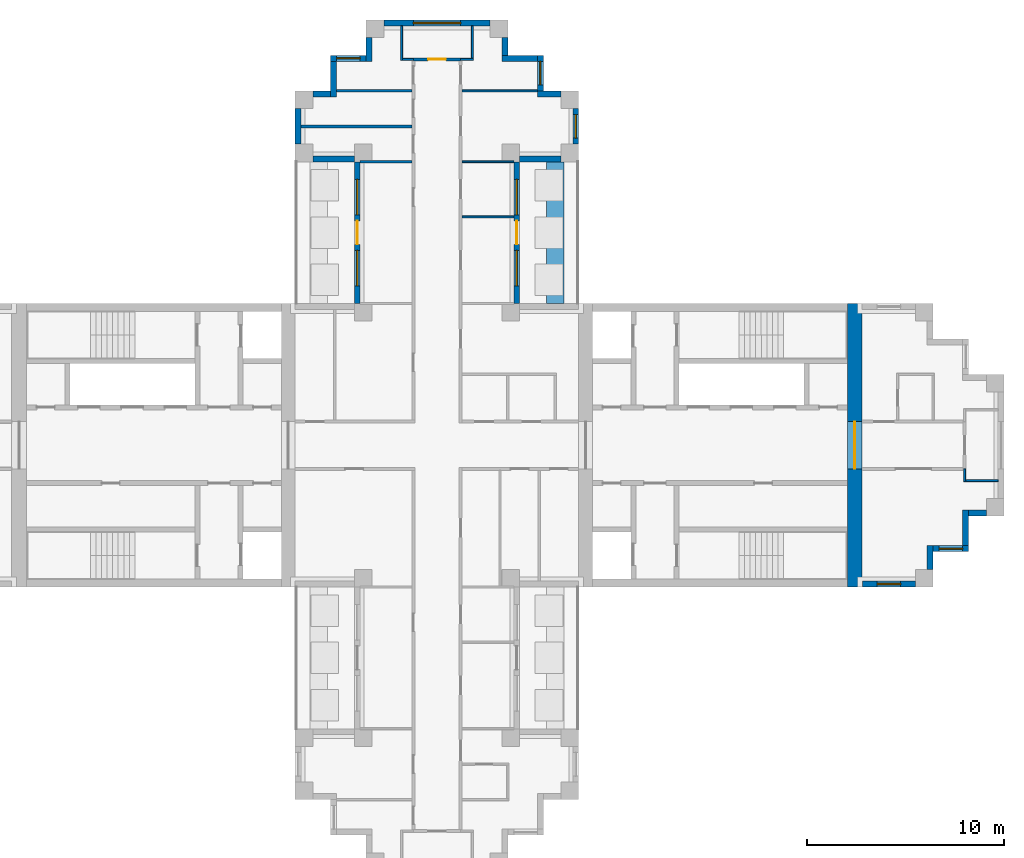
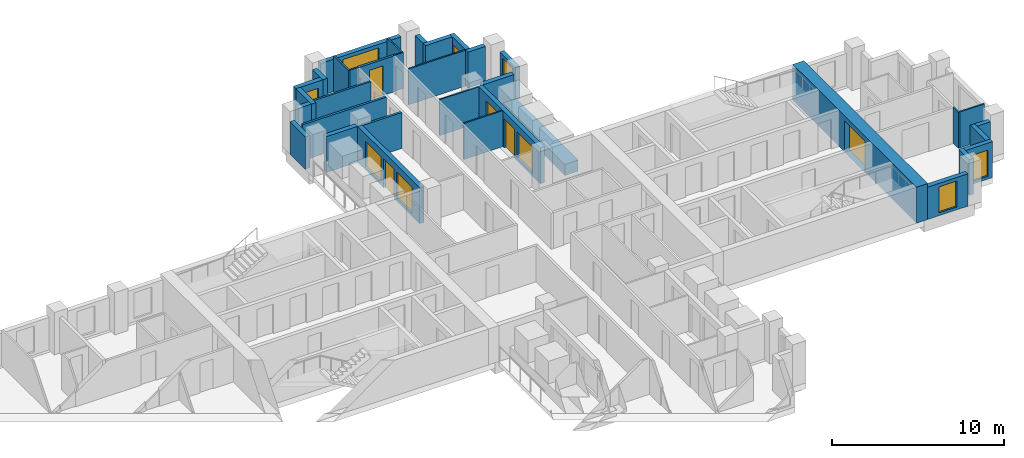
# One storey, part 7 of 10: 35 walls, 10 windows, 4 doors, 14 openings.
"""IFC4 building model written with IfcOpenShell, lengths in metres."""

from ifc_helpers import new_model, si_unit, direction, frame, frame_2d, origin, place, context, subcontext, project, spatial, rectangle, extrude, material, layer, layer_set, type_object, element, fill, save


model = new_model("IFC4")

# Units and contexts
model_context = context("Model", 3, precision=1e-05, world=origin(), true_north=direction((0.0, 1.0)))
body_context = subcontext(model_context, "Body", "Model", "MODEL_VIEW")
ifc_project = project(units=[si_unit("LENGTHUNIT", "METRE"), si_unit("AREAUNIT", "SQUARE_METRE"), si_unit("VOLUMEUNIT", "CUBIC_METRE"), si_unit("PLANEANGLEUNIT", "RADIAN"), si_unit("MASSUNIT", "GRAM", prefix="KILO")], contexts=[model_context])

# Site, building, storey
site_placement = place(None, origin())
site = spatial("IfcSite", under=ifc_project, at=site_placement, CompositionType="ELEMENT")
building_placement = place(site_placement, origin())
building = spatial("IfcBuilding", under=site, at=building_placement, Name="Fustian Cross Tower", CompositionType="ELEMENT")
storey_placement = place(building_placement, frame((0.0, 0.0, 191.699951171875)))
storey = spatial("IfcBuildingStorey", under=building, at=storey_placement, Name="L60", CompositionType="ELEMENT", Elevation=191.699951171875)

# Walls
ifc_material_1 = material(Name="Plasterboard on steel stud", Category="steel")
ifc_layer_1 = layer(ifc_material_1, 0.14990234375)
ifc_layer_set_1 = layer_set([ifc_layer_1], Name="Plasterboard on steel stud")
wall_type_1 = type_object("IfcWallType", Name="COMPARTMENT WALL 150 EI 60", PredefinedType="PARTITIONING", material=ifc_layer_set_1)
wall_1_placement = place(storey_placement, frame((-6.89990234375, 16.199951171875, 0.0), z_axis=(0.0, 0.0, 1.0), x_axis=(1.0, 0.0, 0.0)))
element("IfcWall", 1, at=wall_1_placement, inside=storey, type_object=wall_type_1, Name="Partition 15", PredefinedType="PARTITIONING", context=body_context, shape_type="SweptSolid", body=[
    extrude(rectangle(XDim=5.625, YDim=0.14990234375, at=frame_2d((2.8125, 0.0))), origin(), (0.0, 0.0, 1.0), 2.550048828125),
])
wall_2_placement = place(storey_placement, frame((-3.89990234375, 14.39990234375, 0.0), z_axis=(0.0, 0.0, 1.0), x_axis=(1.0, 0.0, 0.0)))
element("IfcWall", 2, at=wall_2_placement, inside=storey, type_object=wall_type_1, Name="Partition 22", PredefinedType="PARTITIONING", context=body_context, shape_type="SweptSolid", body=[
    extrude(rectangle(XDim=2.625, YDim=0.14990234375, at=frame_2d((1.3125, 0.0))), origin(), (0.0, 0.0, 1.0), 2.550048828125),
])

# Wall, opening, door
wall_3_placement = place(storey_placement, frame((-1.199951171875, 19.60009765625, 0.0), z_axis=(0.0, 0.0, 1.0), x_axis=(1.0, 0.0, 0.0)))
wall_3 = element("IfcWall", 3, at=wall_3_placement, inside=storey, type_object=wall_type_1, Name="Partition 30", PredefinedType="PARTITIONING", context=body_context, shape_type="SweptSolid", body=[
    extrude(rectangle(XDim=2.39990234375, YDim=0.14990234375, at=frame_2d((1.199951171875, 0.0))), origin(), (0.0, 0.0, 1.0), 2.550048828125),
])
opening_1_placement = place(wall_3_placement, frame((0.75, 0.0, 0.0)))
opening_1 = element("IfcOpeningElement", 4, at=opening_1_placement, cuts=wall_3, Name="Opening D27014", PredefinedType="OPENING", context=body_context, shape_type="SweptSolid", body=[
    extrude(rectangle(XDim=0.89990234375, YDim=2.10009765625, at=frame_2d((0.449951171875, 1.050048828125))), frame((0.0, 0.0849609375, 0.0), z_axis=(0.0, -1.0, 0.0), x_axis=(1.0, 0.0, 0.0)), (0.0, 0.0, 1.0), 0.169921875),
])
ifc_material_2 = material(Name="Timber fire door set", Category="wood")
door_type_1 = type_object("IfcDoorType", Name="FIRE SWING DOOR 900 FD30S", OperationType="SINGLE_SWING_LEFT", PredefinedType="DOOR", material=ifc_material_2)
door_1_placement = place(opening_1_placement, origin())
door_1 = element("IfcDoor", 5, at=door_1_placement, inside=storey, type_object=door_type_1, Name="Door D27014", OperationType="SINGLE_SWING_LEFT", OverallHeight=2.10009765625, OverallWidth=0.89990234375, PredefinedType="DOOR", context=body_context, shape_type="SweptSolid", body=[
    extrude(rectangle(XDim=0.89990234375, YDim=2.10009765625, at=frame_2d((0.449951171875, 1.050048828125))), frame((0.0, 0.02490234375, 0.0), z_axis=(0.0, -1.0, 0.0), x_axis=(1.0, 0.0, 0.0)), (0.0, 0.0, 1.0), 0.050048828125),
])
fill(opening_1, door_1)

ifc_material_3 = material(Name="Concrete C50/60", Category="concrete")
ifc_layer_2 = layer(ifc_material_3, 0.75)
ifc_layer_set_2 = layer_set([ifc_layer_2], Name="Concrete C50/60")
wall_type_2 = type_object("IfcWallType", Name="CORE END WALL 750 C50/60", PredefinedType="SHEAR", material=ifc_layer_set_2)
wall_4_placement = place(storey_placement, frame((21.22509765625, -7.199951171875, 0.0), z_axis=(0.0, 0.0, 1.0), x_axis=(0.0, 1.0, 0.0)))
wall_4 = element("IfcWall", 6, at=wall_4_placement, inside=storey, type_object=wall_type_2, Name="Core end wall", PredefinedType="SHEAR", context=body_context, shape_type="SweptSolid", body=[
    extrude(rectangle(XDim=14.39990234375, YDim=0.75, at=frame_2d((7.199951171875, 0.0))), origin(), (0.0, 0.0, 1.0), 2.550048828125),
])
opening_2_placement = place(wall_4_placement, frame((6.0, 0.0, 0.0)))
opening_2 = element("IfcOpeningElement", 7, at=opening_2_placement, cuts=wall_4, Name="Opening CD-25-13", PredefinedType="OPENING", context=body_context, shape_type="SweptSolid", body=[
    extrude(rectangle(XDim=2.39990234375, YDim=2.199951171875, at=frame_2d((1.199951171875, 1.10009765625))), frame((0.0, 0.385009765625, 0.0), z_axis=(0.0, -1.0, 0.0), x_axis=(1.0, 0.0, 0.0)), (0.0, 0.0, 1.0), 0.77001953125),
])
ifc_material_4 = material(Name="Steel", Category="steel")
door_type_2 = type_object("IfcDoorType", Name="FIRE DOOR FD30S DOUBLE 2400X2200", OperationType="DOUBLE_DOOR_DOUBLE_SWING", PredefinedType="DOOR", material=ifc_material_4)
door_2_placement = place(opening_2_placement, origin())
door_2 = element("IfcDoor", 8, at=door_2_placement, inside=storey, type_object=door_type_2, Name="Core door CD-25-13", OperationType="DOUBLE_DOOR_DOUBLE_SWING", OverallHeight=2.199951171875, OverallWidth=2.39990234375, PredefinedType="DOOR", context=body_context, shape_type="SweptSolid", body=[
    extrude(rectangle(XDim=2.39990234375, YDim=2.199951171875, at=frame_2d((1.199951171875, 1.10009765625))), frame((0.0, 0.02490234375, 0.0), z_axis=(0.0, -1.0, 0.0), x_axis=(1.0, 0.0, 0.0)), (0.0, 0.0, 1.0), 0.050048828125),
])
fill(opening_2, door_2)

# Walls
ifc_material_5 = material(Name="Plasterboard on steel stud", Category="steel")
ifc_layer_3 = layer(ifc_material_5, 0.10009765625)
ifc_layer_set_3 = layer_set([ifc_layer_3], Name="Plasterboard on steel stud")
wall_type_3 = type_object("IfcWallType", Name="PARTITION 100 STUD", PredefinedType="PARTITIONING", material=ifc_layer_set_3)
wall_5_placement = place(storey_placement, frame((-1.800048828125, 19.550048828125, 0.0), z_axis=(0.0, 0.0, 1.0), x_axis=(0.0, 1.0, 0.0)))
element("IfcWall", 9, at=wall_5_placement, inside=storey, type_object=wall_type_3, Name="Partition 25", PredefinedType="PARTITIONING", context=body_context, shape_type="SweptSolid", body=[
    extrude(rectangle(XDim=1.75, YDim=0.10009765625, at=frame_2d((0.875, 0.0))), origin(), (0.0, 0.0, 1.0), 2.550048828125),
])
wall_6_placement = place(storey_placement, frame((-1.75, 19.60009765625, 0.0), z_axis=(0.0, 0.0, 1.0), x_axis=(1.0, 0.0, 0.0)))
element("IfcWall", 10, at=wall_6_placement, inside=storey, type_object=wall_type_3, Name="Partition 26", PredefinedType="PARTITIONING", context=body_context, shape_type="SweptSolid", body=[
    extrude(rectangle(XDim=0.550048828125, YDim=0.10009765625, at=frame_2d((0.27490234375, 0.0))), origin(), (0.0, 0.0, 1.0), 2.550048828125),
])
for number, where, z_axis, x_axis, name in (
    (11, (1.27490234375, 11.60009765625, 0.0), (0.0, 0.0, 1.0), (1.0, 0.0, 0.0), "Partition 43"),
    (12, (1.27490234375, 14.39990234375, 0.0), (0.0, 0.0, 1.0), (1.0, 0.0, 0.0), "Partition 44"),
):
    element("IfcWall", number, at=place(storey_placement, frame(where, z_axis=z_axis, x_axis=x_axis)), inside=storey, type_object=wall_type_3, Name=name, PredefinedType="PARTITIONING", context=body_context, shape_type="SweptSolid", body=[
        extrude(rectangle(XDim=2.625, YDim=0.10009765625, at=frame_2d((1.3125, 0.0))), origin(), (0.0, 0.0, 1.0), 2.550048828125),
    ])
wall_7_placement = place(storey_placement, frame((1.27490234375, 18.0, 0.0), z_axis=(0.0, 0.0, 1.0), x_axis=(1.0, 0.0, 0.0)))
element("IfcWall", 13, at=wall_7_placement, inside=storey, type_object=wall_type_3, Name="Partition 45", PredefinedType="PARTITIONING", context=body_context, shape_type="SweptSolid", body=[
    extrude(rectangle(XDim=3.8251953125, YDim=0.10009765625, at=frame_2d((1.91259765625, 0.0))), origin(), (0.0, 0.0, 1.0), 2.550048828125),
])
wall_8_placement = place(storey_placement, frame((1.199951171875, 19.60009765625, 0.0), z_axis=(0.0, 0.0, 1.0), x_axis=(1.0, 0.0, 0.0)))
element("IfcWall", 14, at=wall_8_placement, inside=storey, type_object=wall_type_3, Name="Partition 46", PredefinedType="PARTITIONING", context=body_context, shape_type="SweptSolid", body=[
    extrude(rectangle(XDim=0.650146484375, YDim=0.10009765625, at=frame_2d((0.3251953125, 0.0))), origin(), (0.0, 0.0, 1.0), 2.550048828125),
])
wall_9_placement = place(storey_placement, frame((1.800048828125, 19.64990234375, 0.0), z_axis=(0.0, 0.0, 1.0), x_axis=(0.0, 1.0, 0.0)))
element("IfcWall", 15, at=wall_9_placement, inside=storey, type_object=wall_type_3, Name="Partition 48", PredefinedType="PARTITIONING", context=body_context, shape_type="SweptSolid", body=[
    extrude(rectangle(XDim=1.650146484375, YDim=0.10009765625, at=frame_2d((0.8251953125, 0.0))), origin(), (0.0, 0.0, 1.0), 2.550048828125),
])
wall_10_placement = place(storey_placement, frame((26.800048828125, -1.85009765625, 0.0), z_axis=(0.0, 0.0, 1.0), x_axis=(0.0, 1.0, 0.0)))
element("IfcWall", 16, at=wall_10_placement, inside=storey, type_object=wall_type_3, Name="Partition 59", PredefinedType="PARTITIONING", context=body_context, shape_type="SweptSolid", body=[
    extrude(rectangle(XDim=0.650146484375, YDim=0.10009765625, at=frame_2d((0.3251953125, 0.0))), origin(), (0.0, 0.0, 1.0), 2.550048828125),
])
wall_11_placement = place(storey_placement, frame((26.85009765625, -1.800048828125, 0.0), z_axis=(0.0, 0.0, 1.0), x_axis=(1.0, 0.0, 0.0)))
element("IfcWall", 17, at=wall_11_placement, inside=storey, type_object=wall_type_3, Name="Partition 60", PredefinedType="PARTITIONING", context=body_context, shape_type="SweptSolid", body=[
    extrude(rectangle(XDim=1.64990234375, YDim=0.10009765625, at=frame_2d((0.824951171875, 0.0))), origin(), (0.0, 0.0, 1.0), 2.550048828125),
])
ifc_material_6 = material(Name="Concrete C40/50", Category="concrete")
ifc_layer_4 = layer(ifc_material_6, 0.89990234375)
ifc_layer_set_4 = layer_set([ifc_layer_4], Name="Concrete C40/50")
wall_type_4 = type_object("IfcWallType", Name="PK1 PLANTER 900", PredefinedType="PARAPET", material=ifc_layer_set_4)
wall_12_placement = place(storey_placement, frame((6.0, 7.199951171875, 0.0), z_axis=(0.0, 0.0, 1.0), x_axis=(0.0, 1.0, 0.0)))
element("IfcWall", 18, at=wall_12_placement, inside=storey, type_object=wall_type_4, Name="PLANTER", PredefinedType="PARAPET", context=body_context, shape_type="SweptSolid", body=[
    extrude(rectangle(XDim=7.199951171875, YDim=0.89990234375, at=frame_2d((3.60009765625, 0.0))), origin(), (0.0, 0.0, 1.0), 0.800048828125),
])
ifc_material_7 = material(Name="Plasterboard on steel stud", Category="steel")
ifc_layer_5 = layer(ifc_material_7, 0.125)
ifc_layer_set_5 = layer_set([ifc_layer_5], Name="Plasterboard on steel stud")
wall_type_5 = type_object("IfcWallType", Name="WET WALL 125 STUD", PredefinedType="PARTITIONING", material=ifc_layer_set_5)
wall_13_placement = place(storey_placement, frame((-5.10009765625, 18.0, 0.0), z_axis=(0.0, 0.0, 1.0), x_axis=(1.0, 0.0, 0.0)))
element("IfcWall", 19, at=wall_13_placement, inside=storey, type_object=wall_type_5, Name="Partition 18", PredefinedType="PARTITIONING", context=body_context, shape_type="SweptSolid", body=[
    extrude(rectangle(XDim=3.8251953125, YDim=0.125, at=frame_2d((1.91259765625, 0.0))), origin(), (0.0, 0.0, 1.0), 2.550048828125),
])

# Wall, opening, window
ifc_material_8 = material(Name="Dark aluminium cladding on insulated backing wall", Category="aluminium")
ifc_layer_6 = layer(ifc_material_8, 0.300048828125)
ifc_layer_set_6 = layer_set([ifc_layer_6], Name="Dark aluminium cladding on insulated backing wall")
wall_type_6 = type_object("IfcWallType", Name="XW1 EXTERNAL WALL 300", PredefinedType="SOLIDWALL", material=ifc_layer_set_6)
wall_14_placement = place(storey_placement, frame((21.60009765625, -7.050048828125, 0.0), z_axis=(0.0, 0.0, 1.0), x_axis=(1.0, 0.0, 0.0)))
wall_14 = element("IfcWall", 20, at=wall_14_placement, inside=storey, type_object=wall_type_6, Name="External wall", PredefinedType="SOLIDWALL", context=body_context, shape_type="SweptSolid", body=[
    extrude(rectangle(XDim=2.699951171875, YDim=0.300048828125, at=frame_2d((1.35009765625, 0.0))), origin(), (0.0, 0.0, 1.0), 2.300048828125),
])
opening_3_placement = place(wall_14_placement, frame((0.75, 0.0, 0.199951171875)))
opening_3 = element("IfcOpeningElement", 21, at=opening_3_placement, cuts=wall_14, Name="Opening WN3", PredefinedType="OPENING", context=body_context, shape_type="SweptSolid", body=[
    extrude(rectangle(XDim=1.199951171875, YDim=1.85009765625, at=frame_2d((0.60009765625, 0.925048828125))), frame((0.0, 0.159912109375, 0.0), z_axis=(0.0, -1.0, 0.0), x_axis=(1.0, 0.0, 0.0)), (0.0, 0.0, 1.0), 0.320068359375),
])
ifc_material_9 = material(Name="Dark anodised aluminium and double glazing", Category="aluminium")
window_type_1 = type_object("IfcWindowType", Name="WN3 WINDOW 1200X1850", PartitioningType="SINGLE_PANEL", PredefinedType="WINDOW", material=ifc_material_9)
window_1_placement = place(opening_3_placement, origin())
window_1 = element("IfcWindow", 22, at=window_1_placement, inside=storey, type_object=window_type_1, Name="Window", OverallHeight=1.85009765625, OverallWidth=1.199951171875, PartitioningType="SINGLE_PANEL", PredefinedType="WINDOW", context=body_context, shape_type="SweptSolid", body=[
    extrude(rectangle(XDim=1.199951171875, YDim=1.85009765625, at=frame_2d((0.60009765625, 0.925048828125))), frame((0.0, 0.030029296875, 0.0), z_axis=(0.0, -1.0, 0.0), x_axis=(1.0, 0.0, 0.0)), (0.0, 0.0, 1.0), 0.06005859375),
])
fill(opening_3, window_1)

# Wall
wall_15_placement = place(storey_placement, frame((25.050048828125, -6.300048828125, 0.0), z_axis=(0.0, 0.0, 1.0), x_axis=(0.0, 1.0, 0.0)))
element("IfcWall", 23, at=wall_15_placement, inside=storey, type_object=wall_type_6, Name="External wall", PredefinedType="SOLIDWALL", context=body_context, shape_type="SweptSolid", body=[
    extrude(rectangle(XDim=1.199951171875, YDim=0.300048828125, at=frame_2d((0.60009765625, 0.0))), origin(), (0.0, 0.0, 1.0), 2.550048828125),
])

# Wall, opening, window
wall_16_placement = place(storey_placement, frame((25.199951171875, -5.25, 0.0), z_axis=(0.0, 0.0, 1.0), x_axis=(1.0, 0.0, 0.0)))
wall_16 = element("IfcWall", 24, at=wall_16_placement, inside=storey, type_object=wall_type_6, Name="External wall", PredefinedType="SOLIDWALL", context=body_context, shape_type="SweptSolid", body=[
    extrude(rectangle(XDim=1.800048828125, YDim=0.300048828125, at=frame_2d((0.89990234375, 0.0))), origin(), (0.0, 0.0, 1.0), 2.550048828125),
])
opening_4_placement = place(wall_16_placement, frame((0.300048828125, 0.0, 0.199951171875)))
opening_4 = element("IfcOpeningElement", 25, at=opening_4_placement, cuts=wall_16, Name="Opening WN3", PredefinedType="OPENING", context=body_context, shape_type="SweptSolid", body=[
    extrude(rectangle(XDim=1.199951171875, YDim=1.85009765625, at=frame_2d((0.60009765625, 0.925048828125))), frame((0.0, 0.159912109375, 0.0), z_axis=(0.0, -1.0, 0.0), x_axis=(1.0, 0.0, 0.0)), (0.0, 0.0, 1.0), 0.320068359375),
])
window_2_placement = place(opening_4_placement, origin())
window_2 = element("IfcWindow", 26, at=window_2_placement, inside=storey, type_object=window_type_1, Name="Window", OverallHeight=1.85009765625, OverallWidth=1.199951171875, PartitioningType="SINGLE_PANEL", PredefinedType="WINDOW", context=body_context, shape_type="SweptSolid", body=[
    extrude(rectangle(XDim=1.199951171875, YDim=1.85009765625, at=frame_2d((0.60009765625, 0.925048828125))), frame((0.0, 0.030029296875, 0.0), z_axis=(0.0, -1.0, 0.0), x_axis=(1.0, 0.0, 0.0)), (0.0, 0.0, 1.0), 0.06005859375),
])
fill(opening_4, window_2)

# Walls
wall_17_placement = place(storey_placement, frame((26.85009765625, -5.10009765625, 0.0), z_axis=(0.0, 0.0, 1.0), x_axis=(0.0, 1.0, 0.0)))
element("IfcWall", 27, at=wall_17_placement, inside=storey, type_object=wall_type_6, Name="External wall", PredefinedType="SOLIDWALL", context=body_context, shape_type="SweptSolid", body=[
    extrude(rectangle(XDim=1.800048828125, YDim=0.300048828125, at=frame_2d((0.89990234375, 0.0))), origin(), (0.0, 0.0, 1.0), 2.550048828125),
])
wall_18_placement = place(storey_placement, frame((27.0, -3.449951171875, 0.0), z_axis=(0.0, 0.0, 1.0), x_axis=(1.0, 0.0, 0.0)))
element("IfcWall", 28, at=wall_18_placement, inside=storey, type_object=wall_type_6, Name="External wall", PredefinedType="SOLIDWALL", context=body_context, shape_type="SweptSolid", body=[
    extrude(rectangle(XDim=0.89990234375, YDim=0.300048828125, at=frame_2d((0.449951171875, 0.0))), origin(), (0.0, 0.0, 1.0), 2.550048828125),
])

# Wall, openings, door, windows
wall_19_placement = place(storey_placement, frame((4.050048828125, 7.199951171875, 0.0), z_axis=(0.0, 0.0, 1.0), x_axis=(0.0, 1.0, 0.0)))
wall_19 = element("IfcWall", 29, at=wall_19_placement, inside=storey, type_object=wall_type_6, Name="External wall", PredefinedType="SOLIDWALL", context=body_context, shape_type="SweptSolid", body=[
    extrude(rectangle(XDim=7.199951171875, YDim=0.300048828125, at=frame_2d((3.60009765625, 0.0))), origin(), (0.0, 0.0, 1.0), 2.550048828125),
])
opening_5_placement = place(wall_19_placement, frame((3.0, 0.0, 0.0)))
opening_5 = element("IfcOpeningElement", 30, at=opening_5_placement, cuts=wall_19, Name="Opening XD1", PredefinedType="OPENING", context=body_context, shape_type="SweptSolid", body=[
    extrude(rectangle(XDim=1.199951171875, YDim=2.050048828125, at=frame_2d((0.60009765625, 1.02490234375))), frame((0.0, 0.159912109375, 0.0), z_axis=(0.0, -1.0, 0.0), x_axis=(1.0, 0.0, 0.0)), (0.0, 0.0, 1.0), 0.320068359375),
])
opening_6_placement = place(wall_19_placement, frame((0.89990234375, 0.0, 0.199951171875)))
opening_6 = element("IfcOpeningElement", 31, at=opening_6_placement, cuts=wall_19, Name="Opening WN2", PredefinedType="OPENING", context=body_context, shape_type="SweptSolid", body=[
    extrude(rectangle(XDim=1.800048828125, YDim=1.85009765625, at=frame_2d((0.89990234375, 0.925048828125))), frame((0.0, 0.159912109375, 0.0), z_axis=(0.0, -1.0, 0.0), x_axis=(1.0, 0.0, 0.0)), (0.0, 0.0, 1.0), 0.320068359375),
])
opening_7_placement = place(wall_19_placement, frame((4.5, 0.0, 0.199951171875)))
opening_7 = element("IfcOpeningElement", 32, at=opening_7_placement, cuts=wall_19, Name="Opening WN2", PredefinedType="OPENING", context=body_context, shape_type="SweptSolid", body=[
    extrude(rectangle(XDim=1.800048828125, YDim=1.85009765625, at=frame_2d((0.89990234375, 0.925048828125))), frame((0.0, 0.159912109375, 0.0), z_axis=(0.0, -1.0, 0.0), x_axis=(1.0, 0.0, 0.0)), (0.0, 0.0, 1.0), 0.320068359375),
])
ifc_material_10 = material(Name="Dark anodised aluminium and double glazing", Category="aluminium")
door_type_3 = type_object("IfcDoorType", Name="ED1 BALCONY DOOR 1200X2050", OperationType="SINGLE_SWING_LEFT", PredefinedType="DOOR", material=ifc_material_10)
door_3_placement = place(opening_5_placement, origin())
door_3 = element("IfcDoor", 33, at=door_3_placement, inside=storey, type_object=door_type_3, Name="Balcony door", OperationType="SINGLE_SWING_LEFT", OverallHeight=2.050048828125, OverallWidth=1.199951171875, PredefinedType="DOOR", context=body_context, shape_type="SweptSolid", body=[
    extrude(rectangle(XDim=1.199951171875, YDim=2.050048828125, at=frame_2d((0.60009765625, 1.02490234375))), frame((0.0, 0.02490234375, 0.0), z_axis=(0.0, -1.0, 0.0), x_axis=(1.0, 0.0, 0.0)), (0.0, 0.0, 1.0), 0.050048828125),
])
fill(opening_5, door_3)
ifc_material_11 = material(Name="Dark anodised aluminium and double glazing", Category="aluminium")
window_type_2 = type_object("IfcWindowType", Name="WN2 WINDOW 1800X1850", PartitioningType="SINGLE_PANEL", PredefinedType="WINDOW", material=ifc_material_11)
window_3_placement = place(opening_6_placement, origin())
window_3 = element("IfcWindow", 34, at=window_3_placement, inside=storey, type_object=window_type_2, Name="Window", OverallHeight=1.85009765625, OverallWidth=1.800048828125, PartitioningType="SINGLE_PANEL", PredefinedType="WINDOW", context=body_context, shape_type="SweptSolid", body=[
    extrude(rectangle(XDim=1.800048828125, YDim=1.85009765625, at=frame_2d((0.89990234375, 0.925048828125))), frame((0.0, 0.030029296875, 0.0), z_axis=(0.0, -1.0, 0.0), x_axis=(1.0, 0.0, 0.0)), (0.0, 0.0, 1.0), 0.06005859375),
])
fill(opening_6, window_3)
window_4_placement = place(opening_7_placement, origin())
window_4 = element("IfcWindow", 35, at=window_4_placement, inside=storey, type_object=window_type_2, Name="Window", OverallHeight=1.85009765625, OverallWidth=1.800048828125, PartitioningType="SINGLE_PANEL", PredefinedType="WINDOW", context=body_context, shape_type="SweptSolid", body=[
    extrude(rectangle(XDim=1.800048828125, YDim=1.85009765625, at=frame_2d((0.89990234375, 0.925048828125))), frame((0.0, 0.030029296875, 0.0), z_axis=(0.0, -1.0, 0.0), x_axis=(1.0, 0.0, 0.0)), (0.0, 0.0, 1.0), 0.06005859375),
])
fill(opening_7, window_4)

# Wall
wall_20_placement = place(storey_placement, frame((4.199951171875, 14.550048828125, 0.0), z_axis=(0.0, 0.0, 1.0), x_axis=(1.0, 0.0, 0.0)))
element("IfcWall", 36, at=wall_20_placement, inside=storey, type_object=wall_type_6, Name="External wall", PredefinedType="SOLIDWALL", context=body_context, shape_type="SweptSolid", body=[
    extrude(rectangle(XDim=2.10009765625, YDim=0.300048828125, at=frame_2d((1.050048828125, 0.0))), origin(), (0.0, 0.0, 1.0), 2.550048828125),
])

# Wall, opening, window
wall_21_placement = place(storey_placement, frame((7.050048828125, 15.300048828125, 0.0), z_axis=(0.0, 0.0, 1.0), x_axis=(0.0, 1.0, 0.0)))
wall_21 = element("IfcWall", 37, at=wall_21_placement, inside=storey, type_object=wall_type_6, Name="External wall", PredefinedType="SOLIDWALL", context=body_context, shape_type="SweptSolid", body=[
    extrude(rectangle(XDim=1.800048828125, YDim=0.300048828125, at=frame_2d((0.89990234375, 0.0))), origin(), (0.0, 0.0, 1.0), 2.300048828125),
])
opening_8_placement = place(wall_21_placement, frame((0.300048828125, 0.0, 0.199951171875)))
opening_8 = element("IfcOpeningElement", 38, at=opening_8_placement, cuts=wall_21, Name="Opening WN3", PredefinedType="OPENING", context=body_context, shape_type="SweptSolid", body=[
    extrude(rectangle(XDim=1.199951171875, YDim=1.85009765625, at=frame_2d((0.60009765625, 0.925048828125))), frame((0.0, 0.159912109375, 0.0), z_axis=(0.0, -1.0, 0.0), x_axis=(1.0, 0.0, 0.0)), (0.0, 0.0, 1.0), 0.320068359375),
])
window_5_placement = place(opening_8_placement, origin())
window_5 = element("IfcWindow", 39, at=window_5_placement, inside=storey, type_object=window_type_1, Name="Window", OverallHeight=1.85009765625, OverallWidth=1.199951171875, PartitioningType="SINGLE_PANEL", PredefinedType="WINDOW", context=body_context, shape_type="SweptSolid", body=[
    extrude(rectangle(XDim=1.199951171875, YDim=1.85009765625, at=frame_2d((0.60009765625, 0.925048828125))), frame((0.0, 0.030029296875, 0.0), z_axis=(0.0, -1.0, 0.0), x_axis=(1.0, 0.0, 0.0)), (0.0, 0.0, 1.0), 0.06005859375),
])
fill(opening_8, window_5)

# Wall
wall_22_placement = place(storey_placement, frame((6.300048828125, 17.85009765625, 0.0), z_axis=(0.0, 0.0, 1.0), x_axis=(-1.0, 0.0, 0.0)))
element("IfcWall", 40, at=wall_22_placement, inside=storey, type_object=wall_type_6, Name="External wall", PredefinedType="SOLIDWALL", context=body_context, shape_type="SweptSolid", body=[
    extrude(rectangle(XDim=1.199951171875, YDim=0.300048828125, at=frame_2d((0.60009765625, 0.0))), origin(), (0.0, 0.0, 1.0), 2.550048828125),
])

# Wall, opening, window
wall_23_placement = place(storey_placement, frame((5.25, 18.0, 0.0), z_axis=(0.0, 0.0, 1.0), x_axis=(0.0, 1.0, 0.0)))
wall_23 = element("IfcWall", 41, at=wall_23_placement, inside=storey, type_object=wall_type_6, Name="External wall", PredefinedType="SOLIDWALL", context=body_context, shape_type="SweptSolid", body=[
    extrude(rectangle(XDim=1.800048828125, YDim=0.300048828125, at=frame_2d((0.89990234375, 0.0))), origin(), (0.0, 0.0, 1.0), 2.550048828125),
])
opening_9_placement = place(wall_23_placement, frame((0.300048828125, 0.0, 0.199951171875)))
opening_9 = element("IfcOpeningElement", 42, at=opening_9_placement, cuts=wall_23, Name="Opening WN3", PredefinedType="OPENING", context=body_context, shape_type="SweptSolid", body=[
    extrude(rectangle(XDim=1.199951171875, YDim=1.85009765625, at=frame_2d((0.60009765625, 0.925048828125))), frame((0.0, 0.159912109375, 0.0), z_axis=(0.0, -1.0, 0.0), x_axis=(1.0, 0.0, 0.0)), (0.0, 0.0, 1.0), 0.320068359375),
])
window_6_placement = place(opening_9_placement, origin())
window_6 = element("IfcWindow", 43, at=window_6_placement, inside=storey, type_object=window_type_1, Name="Window", OverallHeight=1.85009765625, OverallWidth=1.199951171875, PartitioningType="SINGLE_PANEL", PredefinedType="WINDOW", context=body_context, shape_type="SweptSolid", body=[
    extrude(rectangle(XDim=1.199951171875, YDim=1.85009765625, at=frame_2d((0.60009765625, 0.925048828125))), frame((0.0, 0.030029296875, 0.0), z_axis=(0.0, -1.0, 0.0), x_axis=(1.0, 0.0, 0.0)), (0.0, 0.0, 1.0), 0.06005859375),
])
fill(opening_9, window_6)

# Walls
wall_24_placement = place(storey_placement, frame((5.10009765625, 19.64990234375, 0.0), z_axis=(0.0, 0.0, 1.0), x_axis=(-1.0, 0.0, 0.0)))
element("IfcWall", 44, at=wall_24_placement, inside=storey, type_object=wall_type_6, Name="External wall", PredefinedType="SOLIDWALL", context=body_context, shape_type="SweptSolid", body=[
    extrude(rectangle(XDim=1.800048828125, YDim=0.300048828125, at=frame_2d((0.89990234375, 0.0))), origin(), (0.0, 0.0, 1.0), 2.550048828125),
])
wall_25_placement = place(storey_placement, frame((3.449951171875, 19.800048828125, 0.0), z_axis=(0.0, 0.0, 1.0), x_axis=(0.0, 1.0, 0.0)))
element("IfcWall", 45, at=wall_25_placement, inside=storey, type_object=wall_type_6, Name="External wall", PredefinedType="SOLIDWALL", context=body_context, shape_type="SweptSolid", body=[
    extrude(rectangle(XDim=0.89990234375, YDim=0.300048828125, at=frame_2d((0.449951171875, 0.0))), origin(), (0.0, 0.0, 1.0), 2.550048828125),
])

# Wall, opening, window
wall_26_placement = place(storey_placement, frame((2.699951171875, 21.449951171875, 0.0), z_axis=(0.0, 0.0, 1.0), x_axis=(-1.0, 0.0, 0.0)))
wall_26 = element("IfcWall", 46, at=wall_26_placement, inside=storey, type_object=wall_type_6, Name="External wall", PredefinedType="SOLIDWALL", context=body_context, shape_type="SweptSolid", body=[
    extrude(rectangle(XDim=5.39990234375, YDim=0.300048828125, at=frame_2d((2.699951171875, 0.0))), origin(), (0.0, 0.0, 1.0), 2.300048828125),
])
opening_10_placement = place(wall_26_placement, frame((1.5, 0.0, 0.199951171875)))
opening_10 = element("IfcOpeningElement", 47, at=opening_10_placement, cuts=wall_26, Name="Opening WN1", PredefinedType="OPENING", context=body_context, shape_type="SweptSolid", body=[
    extrude(rectangle(XDim=2.39990234375, YDim=1.85009765625, at=frame_2d((1.199951171875, 0.925048828125))), frame((0.0, 0.159912109375, 0.0), z_axis=(0.0, -1.0, 0.0), x_axis=(1.0, 0.0, 0.0)), (0.0, 0.0, 1.0), 0.320068359375),
])
ifc_material_12 = material(Name="Dark anodised aluminium and double glazing", Category="aluminium")
window_type_3 = type_object("IfcWindowType", Name="WN1 WINDOW 2400X1850", PartitioningType="SINGLE_PANEL", PredefinedType="WINDOW", material=ifc_material_12)
window_7_placement = place(opening_10_placement, origin())
window_7 = element("IfcWindow", 48, at=window_7_placement, inside=storey, type_object=window_type_3, Name="Window", OverallHeight=1.85009765625, OverallWidth=2.39990234375, PartitioningType="SINGLE_PANEL", PredefinedType="WINDOW", context=body_context, shape_type="SweptSolid", body=[
    extrude(rectangle(XDim=2.39990234375, YDim=1.85009765625, at=frame_2d((1.199951171875, 0.925048828125))), frame((0.0, 0.030029296875, 0.0), z_axis=(0.0, -1.0, 0.0), x_axis=(1.0, 0.0, 0.0)), (0.0, 0.0, 1.0), 0.06005859375),
])
fill(opening_10, window_7)

# Wall
wall_27_placement = place(storey_placement, frame((-3.449951171875, 20.699951171875, 0.0), z_axis=(0.0, 0.0, 1.0), x_axis=(0.0, -1.0, 0.0)))
element("IfcWall", 49, at=wall_27_placement, inside=storey, type_object=wall_type_6, Name="External wall", PredefinedType="SOLIDWALL", context=body_context, shape_type="SweptSolid", body=[
    extrude(rectangle(XDim=1.199951171875, YDim=0.300048828125, at=frame_2d((0.60009765625, 0.0))), origin(), (0.0, 0.0, 1.0), 2.550048828125),
])

# Wall, opening, window
wall_28_placement = place(storey_placement, frame((-3.60009765625, 19.64990234375, 0.0), z_axis=(0.0, 0.0, 1.0), x_axis=(-1.0, 0.0, 0.0)))
wall_28 = element("IfcWall", 50, at=wall_28_placement, inside=storey, type_object=wall_type_6, Name="External wall", PredefinedType="SOLIDWALL", context=body_context, shape_type="SweptSolid", body=[
    extrude(rectangle(XDim=1.7998046875, YDim=0.300048828125, at=frame_2d((0.89990234375, 0.0))), origin(), (0.0, 0.0, 1.0), 2.550048828125),
])
opening_11_placement = place(wall_28_placement, frame((0.300048828125, 0.0, 0.199951171875)))
opening_11 = element("IfcOpeningElement", 51, at=opening_11_placement, cuts=wall_28, Name="Opening WN3", PredefinedType="OPENING", context=body_context, shape_type="SweptSolid", body=[
    extrude(rectangle(XDim=1.199951171875, YDim=1.85009765625, at=frame_2d((0.60009765625, 0.925048828125))), frame((0.0, 0.159912109375, 0.0), z_axis=(0.0, -1.0, 0.0), x_axis=(1.0, 0.0, 0.0)), (0.0, 0.0, 1.0), 0.320068359375),
])
window_8_placement = place(opening_11_placement, origin())
window_8 = element("IfcWindow", 52, at=window_8_placement, inside=storey, type_object=window_type_1, Name="Window", OverallHeight=1.85009765625, OverallWidth=1.199951171875, PartitioningType="SINGLE_PANEL", PredefinedType="WINDOW", context=body_context, shape_type="SweptSolid", body=[
    extrude(rectangle(XDim=1.199951171875, YDim=1.85009765625, at=frame_2d((0.60009765625, 0.925048828125))), frame((0.0, 0.030029296875, 0.0), z_axis=(0.0, -1.0, 0.0), x_axis=(1.0, 0.0, 0.0)), (0.0, 0.0, 1.0), 0.06005859375),
])
fill(opening_11, window_8)

# Walls
wall_29_placement = place(storey_placement, frame((-5.25, 19.5, 0.0), z_axis=(0.0, 0.0, 1.0), x_axis=(0.0, -1.0, 0.0)))
element("IfcWall", 53, at=wall_29_placement, inside=storey, type_object=wall_type_6, Name="External wall", PredefinedType="SOLIDWALL", context=body_context, shape_type="SweptSolid", body=[
    extrude(rectangle(XDim=1.800048828125, YDim=0.300048828125, at=frame_2d((0.89990234375, 0.0))), origin(), (0.0, 0.0, 1.0), 2.550048828125),
])
wall_30_placement = place(storey_placement, frame((-5.39990234375, 17.85009765625, 0.0), z_axis=(0.0, 0.0, 1.0), x_axis=(-1.0, 0.0, 0.0)))
element("IfcWall", 54, at=wall_30_placement, inside=storey, type_object=wall_type_6, Name="External wall", PredefinedType="SOLIDWALL", context=body_context, shape_type="SweptSolid", body=[
    extrude(rectangle(XDim=0.900146484375, YDim=0.300048828125, at=frame_2d((0.4501953125, 0.0))), origin(), (0.0, 0.0, 1.0), 2.550048828125),
])
wall_31_placement = place(storey_placement, frame((-7.050048828125, 17.10009765625, 0.0), z_axis=(0.0, 0.0, 1.0), x_axis=(0.0, -1.0, 0.0)))
element("IfcWall", 55, at=wall_31_placement, inside=storey, type_object=wall_type_6, Name="External wall", PredefinedType="SOLIDWALL", context=body_context, shape_type="SweptSolid", body=[
    extrude(rectangle(XDim=1.800048828125, YDim=0.300048828125, at=frame_2d((0.89990234375, 0.0))), origin(), (0.0, 0.0, 1.0), 2.300048828125),
])
wall_32_placement = place(storey_placement, frame((-6.300048828125, 14.550048828125, 0.0), z_axis=(0.0, 0.0, 1.0), x_axis=(1.0, 0.0, 0.0)))
element("IfcWall", 56, at=wall_32_placement, inside=storey, type_object=wall_type_6, Name="External wall", PredefinedType="SOLIDWALL", context=body_context, shape_type="SweptSolid", body=[
    extrude(rectangle(XDim=2.10009765625, YDim=0.300048828125, at=frame_2d((1.050048828125, 0.0))), origin(), (0.0, 0.0, 1.0), 2.550048828125),
])

# Wall, openings, door, windows
wall_33_placement = place(storey_placement, frame((-4.050048828125, 14.39990234375, 0.0), z_axis=(0.0, 0.0, 1.0), x_axis=(0.0, -1.0, 0.0)))
wall_33 = element("IfcWall", 57, at=wall_33_placement, inside=storey, type_object=wall_type_6, Name="External wall", PredefinedType="SOLIDWALL", context=body_context, shape_type="SweptSolid", body=[
    extrude(rectangle(XDim=7.199951171875, YDim=0.300048828125, at=frame_2d((3.60009765625, 0.0))), origin(), (0.0, 0.0, 1.0), 2.550048828125),
])
opening_12_placement = place(wall_33_placement, frame((3.0, 0.0, 0.0)))
opening_12 = element("IfcOpeningElement", 58, at=opening_12_placement, cuts=wall_33, Name="Opening XD2", PredefinedType="OPENING", context=body_context, shape_type="SweptSolid", body=[
    extrude(rectangle(XDim=1.199951171875, YDim=2.050048828125, at=frame_2d((0.60009765625, 1.02490234375))), frame((0.0, 0.159912109375, 0.0), z_axis=(0.0, -1.0, 0.0), x_axis=(1.0, 0.0, 0.0)), (0.0, 0.0, 1.0), 0.320068359375),
])
opening_13_placement = place(wall_33_placement, frame((0.89990234375, 0.0, 0.199951171875)))
opening_13 = element("IfcOpeningElement", 59, at=opening_13_placement, cuts=wall_33, Name="Opening WN2", PredefinedType="OPENING", context=body_context, shape_type="SweptSolid", body=[
    extrude(rectangle(XDim=1.800048828125, YDim=1.85009765625, at=frame_2d((0.89990234375, 0.925048828125))), frame((0.0, 0.159912109375, 0.0), z_axis=(0.0, -1.0, 0.0), x_axis=(1.0, 0.0, 0.0)), (0.0, 0.0, 1.0), 0.320068359375),
])
opening_14_placement = place(wall_33_placement, frame((4.5, 0.0, 0.199951171875)))
opening_14 = element("IfcOpeningElement", 60, at=opening_14_placement, cuts=wall_33, Name="Opening WN2", PredefinedType="OPENING", context=body_context, shape_type="SweptSolid", body=[
    extrude(rectangle(XDim=1.800048828125, YDim=1.85009765625, at=frame_2d((0.89990234375, 0.925048828125))), frame((0.0, 0.159912109375, 0.0), z_axis=(0.0, -1.0, 0.0), x_axis=(1.0, 0.0, 0.0)), (0.0, 0.0, 1.0), 0.320068359375),
])
door_4_placement = place(opening_12_placement, origin())
door_4 = element("IfcDoor", 61, at=door_4_placement, inside=storey, type_object=door_type_3, Name="Balcony door", OperationType="SINGLE_SWING_LEFT", OverallHeight=2.050048828125, OverallWidth=1.199951171875, PredefinedType="DOOR", context=body_context, shape_type="SweptSolid", body=[
    extrude(rectangle(XDim=1.199951171875, YDim=2.050048828125, at=frame_2d((0.60009765625, 1.02490234375))), frame((0.0, 0.02490234375, 0.0), z_axis=(0.0, -1.0, 0.0), x_axis=(1.0, 0.0, 0.0)), (0.0, 0.0, 1.0), 0.050048828125),
])
fill(opening_12, door_4)
window_9_placement = place(opening_13_placement, origin())
window_9 = element("IfcWindow", 62, at=window_9_placement, inside=storey, type_object=window_type_2, Name="Window", OverallHeight=1.85009765625, OverallWidth=1.800048828125, PartitioningType="SINGLE_PANEL", PredefinedType="WINDOW", context=body_context, shape_type="SweptSolid", body=[
    extrude(rectangle(XDim=1.800048828125, YDim=1.85009765625, at=frame_2d((0.89990234375, 0.925048828125))), frame((0.0, 0.030029296875, 0.0), z_axis=(0.0, -1.0, 0.0), x_axis=(1.0, 0.0, 0.0)), (0.0, 0.0, 1.0), 0.06005859375),
])
fill(opening_13, window_9)
window_10_placement = place(opening_14_placement, origin())
window_10 = element("IfcWindow", 63, at=window_10_placement, inside=storey, type_object=window_type_2, Name="Window", OverallHeight=1.85009765625, OverallWidth=1.800048828125, PartitioningType="SINGLE_PANEL", PredefinedType="WINDOW", context=body_context, shape_type="SweptSolid", body=[
    extrude(rectangle(XDim=1.800048828125, YDim=1.85009765625, at=frame_2d((0.89990234375, 0.925048828125))), frame((0.0, 0.030029296875, 0.0), z_axis=(0.0, -1.0, 0.0), x_axis=(1.0, 0.0, 0.0)), (0.0, 0.0, 1.0), 0.06005859375),
])
fill(opening_14, window_10)

save(model, "model.ifc")
